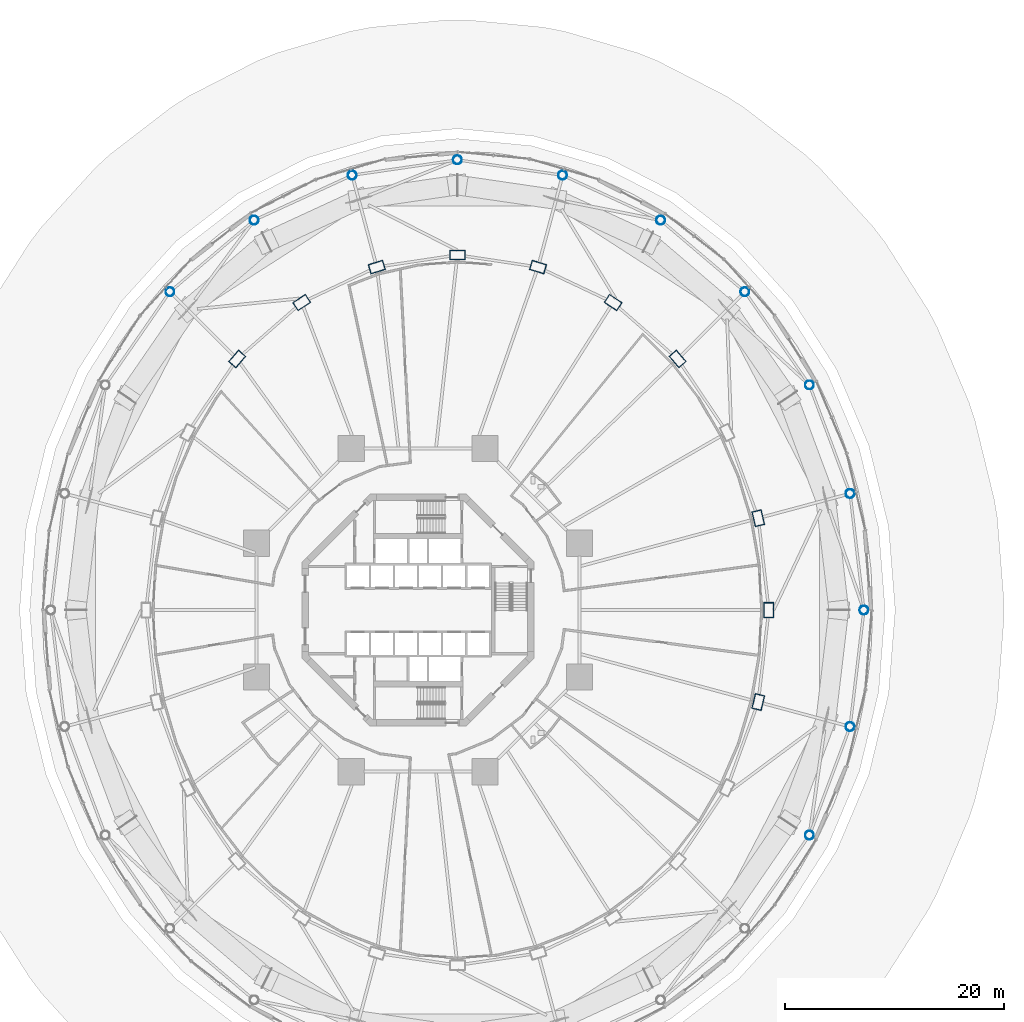
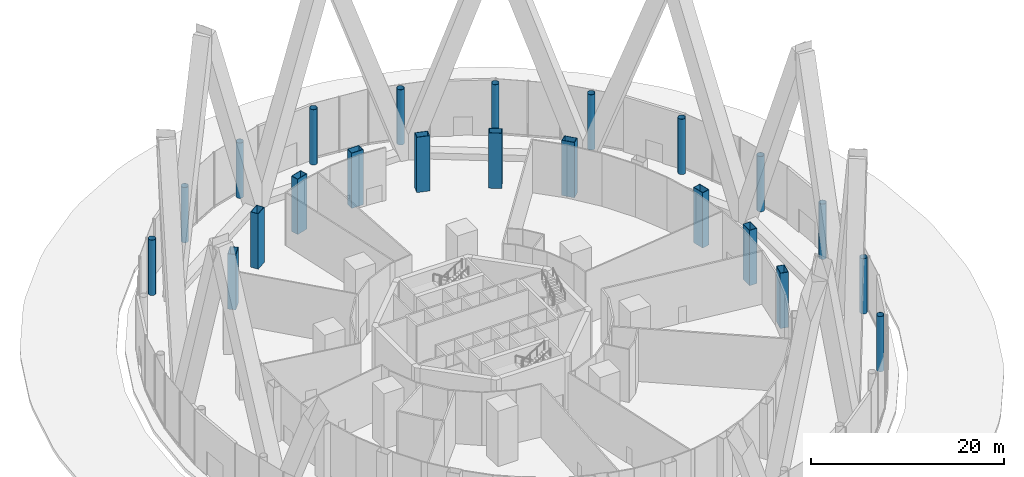
# One storey, part 2 of 67: 22 columns.
"""IFC4 building model written with IfcOpenShell, lengths in metres."""

from ifc_helpers import new_model, si_unit, direction, frame, origin, origin_2d, place, context, subcontext, project, spatial, hollow_rectangle, hollow_circle, extrude, material, material_profile, profile_set, type_object, element, save


model = new_model("IFC4")

# Units and contexts
model_context = context("Model", 3, precision=1e-05, world=origin(), true_north=direction((0.0, 1.0)))
body_context = subcontext(model_context, "Body", "Model", "MODEL_VIEW")
ifc_project = project(units=[si_unit("LENGTHUNIT", "METRE"), si_unit("AREAUNIT", "SQUARE_METRE"), si_unit("VOLUMEUNIT", "CUBIC_METRE"), si_unit("PLANEANGLEUNIT", "RADIAN"), si_unit("MASSUNIT", "GRAM", prefix="KILO")], contexts=[model_context])

# Site, building, storey
site_placement = place(None, origin())
site = spatial("IfcSite", under=ifc_project, at=site_placement, CompositionType="ELEMENT")
building_placement = place(site_placement, origin())
building = spatial("IfcBuilding", under=site, at=building_placement, Name="Nagisa Residences", CompositionType="ELEMENT")
storey_placement = place(building_placement, origin())
storey = spatial("IfcBuildingStorey", under=building, at=storey_placement, Name="L00", CompositionType="ELEMENT", Elevation=0.0)

# Columns
ifc_material_1 = material(Name="Steel ASTM A572 Gr 65", Category="steel")
ifc_material_profile_1 = material_profile(ifc_material_1, hollow_circle(Radius=0.406494140625, WallThickness=0.02490234375, at=origin_2d()), Name="CHS 813x25")
ifc_profile_set_1 = profile_set([ifc_material_profile_1], Name="Steel ASTM A572 Gr 65")
column_type_1 = type_object("IfcColumnType", Name="Atrium column CHS 813x25", PredefinedType="COLUMN", material=ifc_profile_set_1)
for number, where, z_axis, x_axis, name in (
    (1, (40.800048828125, 0.0, 0.0), (0.0, 0.0, 1.0), (1.0, 0.0, 0.0), "col:L00:a00"),
    (2, (39.532470703125, 10.663330078125, 0.0), (0.0, 0.0, 1.0), (1.0, 0.0, 0.0), "col:L00:a01"),
    (3, (35.816162109375, 20.60009765625, 0.0), (0.0, 0.0, 1.0), (1.0, 0.0, 0.0), "col:L00:a02"),
    (4, (29.904296875, 29.1328125, 0.0), (0.0, 0.0, 1.0), (1.0, 0.0, 0.0), "col:L00:a03"),
    (5, (22.199951171875, 35.68017578125, 0.0), (0.0, 0.0, 1.0), (1.0, 0.0, 0.0), "col:L00:a04"),
    (6, (13.22802734375, 39.796142578125, 0.0), (0.0, 0.0, 1.0), (1.0, 0.0, 0.0), "col:L00:a05"),
    (7, (3.60009765625, 41.199951171875, 0.0), (0.0, 0.0, 1.0), (1.0, 0.0, 0.0), "col:L00:a06"),
    (8, (-6.028076171875, 39.796142578125, 0.0), (0.0, 0.0, 1.0), (1.0, 0.0, 0.0), "col:L00:a07"),
    (9, (-15.0, 35.68017578125, 0.0), (0.0, 0.0, 1.0), (1.0, 0.0, 0.0), "col:L00:a08"),
    (10, (-22.704345703125, 29.1328125, 0.0), (0.0, 0.0, 1.0), (1.0, 0.0, 0.0), "col:L00:a09"),
    (11, (35.816162109375, -20.60009765625, 0.0), (0.0, 0.0, 1.0), (1.0, 0.0, 0.0), "col:L00:a22"),
    (12, (39.532470703125, -10.663330078125, 0.0), (0.0, 0.0, 1.0), (1.0, 0.0, 0.0), "col:L00:a23"),
):
    element("IfcColumn", number, at=place(storey_placement, frame(where, z_axis=z_axis, x_axis=x_axis)), inside=storey, type_object=column_type_1, Name=name, PredefinedType="COLUMN", context=body_context, shape_type="SweptSolid", body=[
        extrude(hollow_circle(Radius=0.406494140625, WallThickness=0.02490234375, at=origin_2d()), origin(), (0.0, 0.0, 1.0), 7.0),
    ])
ifc_material_2 = material(Name="Steel ASTM A572 Gr 50", Category="steel")
ifc_material_profile_2 = material_profile(ifc_material_2, hollow_rectangle(XDim=1.39990234375, YDim=0.89990234375, WallThickness=0.050048828125, at=origin_2d()), Name="BX 1400x900x50")
ifc_profile_set_2 = profile_set([ifc_material_profile_2], Name="Steel ASTM A572 Gr 50")
column_type_2 = type_object("IfcColumnType", Name="Perimeter column BX 1400x900x50", PredefinedType="COLUMN", material=ifc_profile_set_2)
for number, where, z_axis, x_axis, name in (
    (13, (32.10009765625, 0.0, 0.0), (0.0, 0.0, 1.0), (0.0, 1.0, 0.0), "col:L00:p00"),
    (14, (31.12890625, 8.41162109375, 0.0), (0.0, 0.0, 1.0), (-0.229202013103, 0.973378876486, 0.0), "col:L00:p01"),
    (15, (23.75244140625, 22.98095703125, 0.0), (0.0, 0.0, 1.0), (-0.660114607735, 0.751164898445, 0.0), "col:L00:p03"),
    (16, (17.85009765625, 28.145751953125, 0.0), (0.0, 0.0, 1.0), (-0.835766105673, 0.54908561865, 0.0), "col:L00:p04"),
    (17, (10.976318359375, 31.392578125, 0.0), (0.0, 0.0, 1.0), (-0.956524583408, 0.291651712384, 0.0), "col:L00:p05"),
    (18, (3.60009765625, 32.5, 0.0), (0.0, 0.0, 1.0), (-1.0, 0.0, 0.0), "col:L00:p06"),
    (19, (-3.7763671875, 31.392578125, 0.0), (0.0, 0.0, 1.0), (-0.956524583408, -0.291651712384, 0.0), "col:L00:p07"),
    (20, (-10.64990234375, 28.145751953125, 0.0), (0.0, 0.0, 1.0), (-0.835766105673, -0.54908561865, 0.0), "col:L00:p08"),
    (21, (-16.552490234375, 22.98095703125, 0.0), (0.0, 0.0, 1.0), (-0.660114607735, -0.751164898445, 0.0), "col:L00:p09"),
    (22, (31.12890625, -8.41162109375, 0.0), (0.0, 0.0, 1.0), (0.229202013103, 0.973378876486, 0.0), "col:L00:p23"),
):
    element("IfcColumn", number, at=place(storey_placement, frame(where, z_axis=z_axis, x_axis=x_axis)), inside=storey, type_object=column_type_2, Name=name, PredefinedType="COLUMN", context=body_context, shape_type="SweptSolid", body=[
        extrude(hollow_rectangle(XDim=1.39990234375, YDim=0.89990234375, WallThickness=0.050048828125, at=origin_2d()), origin(), (0.0, 0.0, 1.0), 7.0),
    ])

save(model, "model.ifc")
